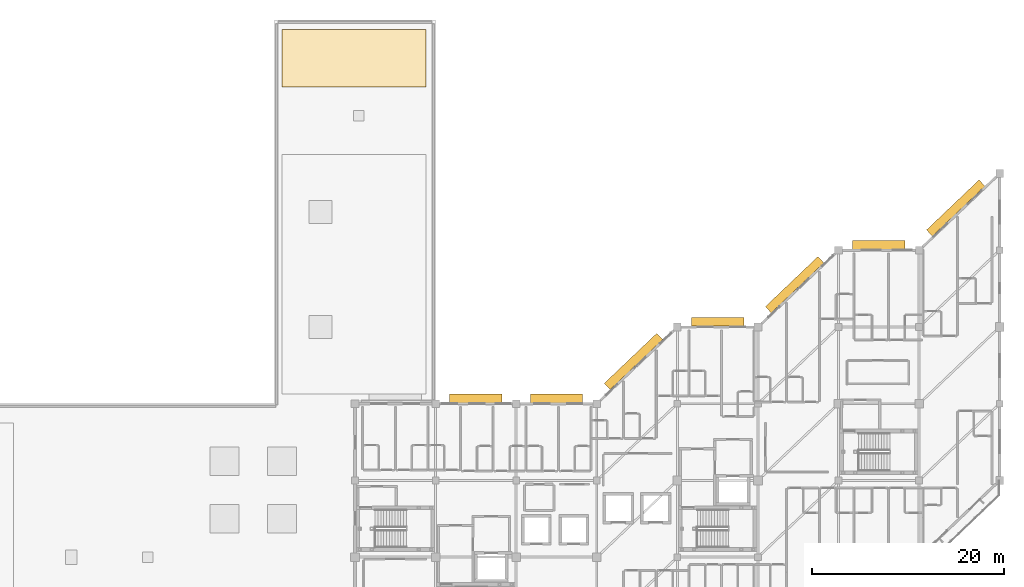
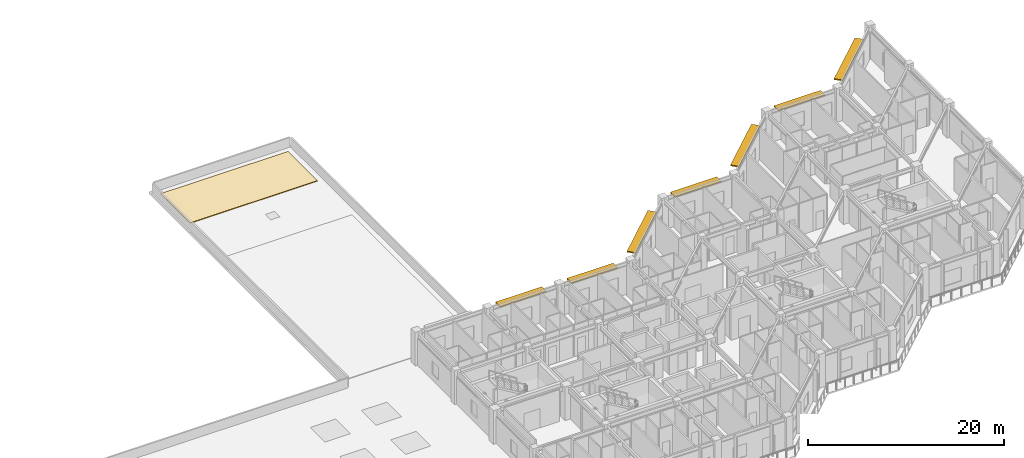
# One storey, part 22 of 22: 7 shading devices, 1 covering.
"""IFC4 building model written with IfcOpenShell, lengths in metres."""

from ifc_helpers import new_model, si_unit, direction, frame, origin, origin_2d, place, context, subcontext, project, spatial, polyline, rectangle, outline, extrude, material, layer, layer_set, type_object, element, save


model = new_model("IFC4")

# Units and contexts
model_context = context("Model", 3, precision=1e-05, world=origin(), true_north=direction((0.0, 1.0)))
body_context = subcontext(model_context, "Body", "Model", "MODEL_VIEW")
ifc_project = project(units=[si_unit("LENGTHUNIT", "METRE"), si_unit("AREAUNIT", "SQUARE_METRE"), si_unit("VOLUMEUNIT", "CUBIC_METRE"), si_unit("PLANEANGLEUNIT", "RADIAN"), si_unit("MASSUNIT", "GRAM", prefix="KILO")], contexts=[model_context])

# Site, building, storey
site_placement = place(None, origin())
site = spatial("IfcSite", under=ifc_project, at=site_placement, CompositionType="ELEMENT")
building_placement = place(site_placement, origin())
building = spatial("IfcBuilding", under=site, at=building_placement, Name="Naruveol Harbour Congress Hotel", CompositionType="ELEMENT")
storey_placement = place(building_placement, frame((0.0, 0.0, 21.0)))
storey = spatial("IfcBuildingStorey", under=building, at=storey_placement, Name="L04", CompositionType="ELEMENT", Elevation=21.0)

# Covering
ifc_material_1 = material(Name="TPO Waterproofing & Mineral Insulation", Category="insulation")
ifc_layer_1 = layer(ifc_material_1, 0.080078125)
ifc_layer_set_1 = layer_set([ifc_layer_1], Name="TPO Waterproofing & Mineral Insulation")
covering_type = type_object("IfcCoveringType", Name="INSULATED MEMBRANE ROOFING SYSTEM 80", PredefinedType="ROOFING", material=ifc_layer_set_1)
covering_placement = place(storey_placement, origin())
element("IfcCovering", 1, at=covering_placement, inside=storey, type_object=covering_type, Name="Insulated roof membrane covering #6", PredefinedType="ROOFING", context=body_context, shape_type="SweptSolid", body=[
    extrude(outline(polyline([(110.0, 65.0), (125.0, 65.0), (125.0, 71.0), (110.0, 71.0), (110.0, 65.0)])), origin(), (0.0, 0.0, 1.0), 0.080078125),
])

# Shading devices
ifc_material_2 = material(Name="Precast concrete C40/50", Category="concrete")
ifc_layer_2 = layer(ifc_material_2, 0.139892578125)
ifc_layer_set_2 = layer_set([ifc_layer_2], Name="Precast concrete C40/50")
shading_device_type = type_object("IfcShadingDeviceType", Name="PRECAST COBOGO PERFORATED SUNSHADE CANOPY", PredefinedType="AWNING", material=ifc_layer_set_2)
for number, where, z_axis, x_axis, name in (
    (2, (130.199951171875, 32.550048828125, 3.39013671875), (0.0, 0.0, 1.0), (1.0, 0.0, 0.0), "Precast cobogo sunshade CB-A900 #6"),
    (3, (138.60009765625, 32.550048828125, 3.39013671875), (0.0, 0.0, 1.0), (1.0, 0.0, 0.0), "Precast cobogo sunshade CB-A900 #9"),
):
    element("IfcShadingDevice", number, at=place(storey_placement, frame(where, z_axis=z_axis, x_axis=x_axis)), inside=storey, type_object=shading_device_type, Name=name, PredefinedType="AWNING", context=body_context, shape_type="SweptSolid", body=[
        extrude(rectangle(XDim=5.469970703125, YDim=0.89990234375, at=origin_2d()), origin(), (0.0, 0.0, 1.0), 0.139892578125),
    ])
shading_device_1_placement = place(storey_placement, frame((146.62109375, 36.39794921875, 3.39013671875), z_axis=(0.0, 0.0, 1.0), x_axis=(0.724171861437, 0.689619543736, 0.0)))
element("IfcShadingDevice", 4, at=shading_device_1_placement, inside=storey, type_object=shading_device_type, Name="Precast cobogo sunshade CB-A900 #12", PredefinedType="AWNING", context=body_context, shape_type="SweptSolid", body=[
    extrude(rectangle(XDim=7.56005859375, YDim=0.89990234375, at=origin_2d()), origin(), (0.0, 0.0, 1.0), 0.139892578125),
])
shading_device_2_placement = place(storey_placement, frame((155.39990234375, 40.550048828125, 3.39013671875), z_axis=(0.0, 0.0, 1.0), x_axis=(1.0, 0.0, 0.0)))
element("IfcShadingDevice", 5, at=shading_device_2_placement, inside=storey, type_object=shading_device_type, Name="Precast cobogo sunshade CB-A900 #15", PredefinedType="AWNING", context=body_context, shape_type="SweptSolid", body=[
    extrude(rectangle(XDim=5.469970703125, YDim=0.89990234375, at=origin_2d()), origin(), (0.0, 0.0, 1.0), 0.139892578125),
])
shading_device_3_placement = place(storey_placement, frame((163.4208984375, 44.39794921875, 3.39013671875), z_axis=(0.0, 0.0, 1.0), x_axis=(0.724171861437, 0.689619543736, 0.0)))
element("IfcShadingDevice", 6, at=shading_device_3_placement, inside=storey, type_object=shading_device_type, Name="Precast cobogo sunshade CB-A900 #18", PredefinedType="AWNING", context=body_context, shape_type="SweptSolid", body=[
    extrude(rectangle(XDim=7.56005859375, YDim=0.89990234375, at=origin_2d()), origin(), (0.0, 0.0, 1.0), 0.139892578125),
])
shading_device_4_placement = place(storey_placement, frame((172.199951171875, 48.550048828125, 3.39013671875), z_axis=(0.0, 0.0, 1.0), x_axis=(1.0, 0.0, 0.0)))
element("IfcShadingDevice", 7, at=shading_device_4_placement, inside=storey, type_object=shading_device_type, Name="Precast cobogo sunshade CB-A900 #21", PredefinedType="AWNING", context=body_context, shape_type="SweptSolid", body=[
    extrude(rectangle(XDim=5.469970703125, YDim=0.89990234375, at=origin_2d()), origin(), (0.0, 0.0, 1.0), 0.139892578125),
])
shading_device_5_placement = place(storey_placement, frame((180.220947265625, 52.39794921875, 3.39013671875), z_axis=(0.0, 0.0, 1.0), x_axis=(0.724171861437, 0.689619543736, 0.0)))
element("IfcShadingDevice", 8, at=shading_device_5_placement, inside=storey, type_object=shading_device_type, Name="Precast cobogo sunshade CB-A900 #24", PredefinedType="AWNING", context=body_context, shape_type="SweptSolid", body=[
    extrude(rectangle(XDim=7.56005859375, YDim=0.89990234375, at=origin_2d()), origin(), (0.0, 0.0, 1.0), 0.139892578125),
])

save(model, "model.ifc")
